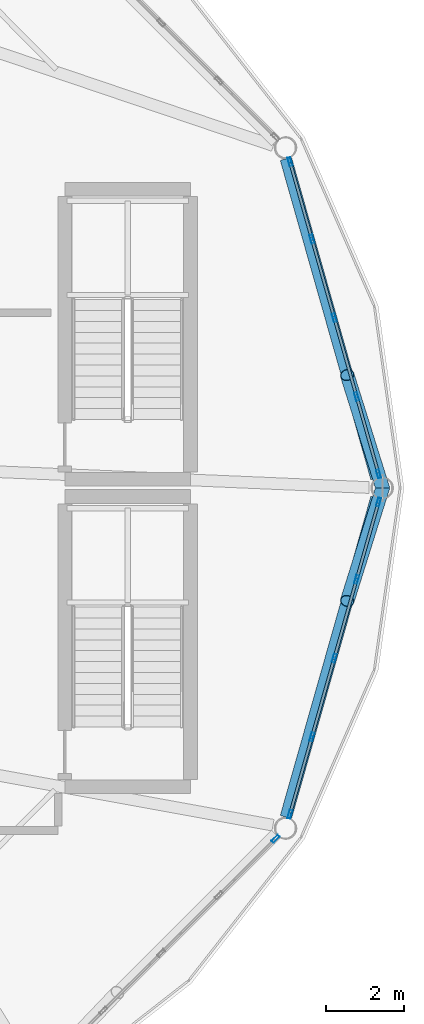
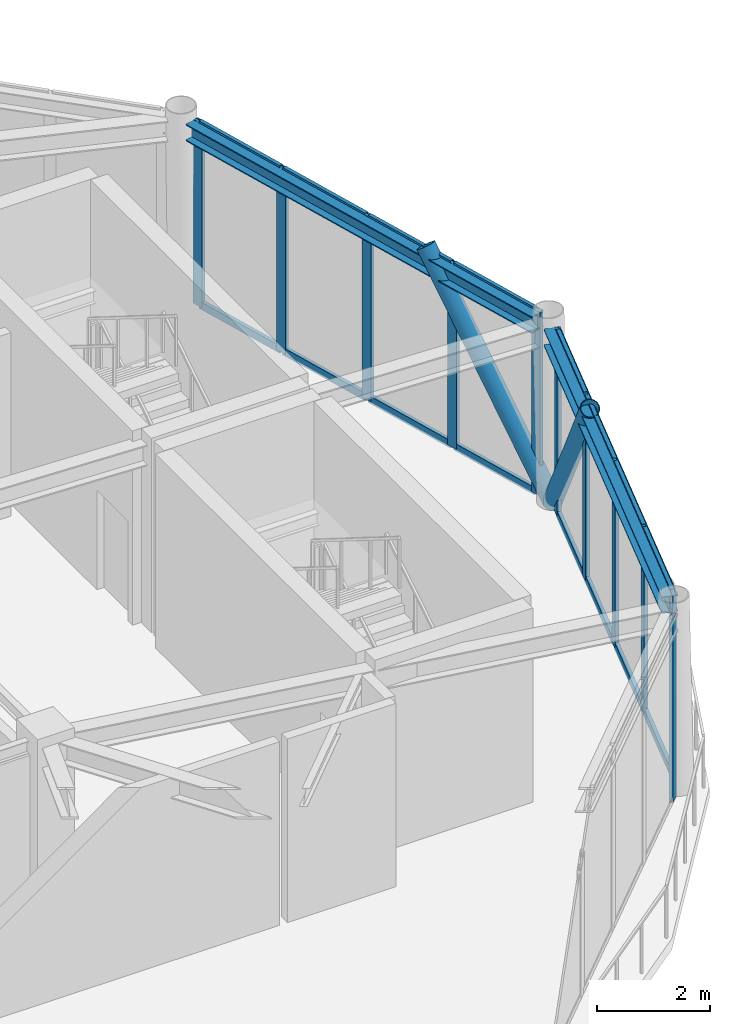
# One storey, part 13 of 21: 29 members, 2 beams, 3 elements without a shape of their own.
"""IFC4 building model written with IfcOpenShell, lengths in metres."""

from ifc_helpers import new_model, si_unit, direction, frame, origin, origin_2d, place, context, subcontext, project, spatial, hollow_rectangle, hollow_circle, i_section, extrude, material, layer, layer_set, material_profile, profile_set, type_object, element, aggregate, save


model = new_model("IFC4")

# Units and contexts
model_context = context("Model", 3, precision=1e-05, world=origin(), true_north=direction((0.0, 1.0)))
body_context = subcontext(model_context, "Body", "Model", "MODEL_VIEW")
ifc_project = project(units=[si_unit("LENGTHUNIT", "METRE"), si_unit("AREAUNIT", "SQUARE_METRE"), si_unit("VOLUMEUNIT", "CUBIC_METRE"), si_unit("PLANEANGLEUNIT", "RADIAN"), si_unit("MASSUNIT", "GRAM", prefix="KILO")], contexts=[model_context])

# Site, building, storey
site_placement = place(None, origin())
site = spatial("IfcSite", under=ifc_project, at=site_placement, CompositionType="ELEMENT")
building_placement = place(site_placement, origin())
building = spatial("IfcBuilding", under=site, at=building_placement, Name="Varnakorn Sky Granary", CompositionType="ELEMENT")
storey_placement = place(building_placement, frame((0.0, 0.0, 294.0)))
storey = spatial("IfcBuildingStorey", under=building, at=storey_placement, Name="L75", CompositionType="ELEMENT", Elevation=294.0)

# Beams
ifc_material_1 = material(Name="Steel S355JR", Category="steel")
ifc_material_profile_1 = material_profile(ifc_material_1, i_section(OverallWidth=0.300048828125, OverallDepth=0.360107421875, WebThickness=0.012451171875, FlangeThickness=0.0224609375, at=origin_2d()), Name="HE 360 B")
ifc_profile_set_1 = profile_set([ifc_material_profile_1], Name="Steel S355JR")
beam_type = type_object("IfcBeamType", Name="BM-SPD-Z5", PredefinedType="SPANDREL", material=ifc_profile_set_1)
for number, where, z_axis, x_axis, name in (
    (1, (22.356689453125, 0.25439453125, 3.780029296875), (-0.273003685575, 0.962012987263, 0.0), (-0.962012987263, -0.273003685575, 0.0), "Perimeter Spandrel Ring Beam RB01 L75"),
    (2, (20.029052734375, -8.45654296875, 3.780029296875), (0.273003685575, 0.962012987263, 0.0), (-0.962012987263, 0.273003685575, 0.0), "Perimeter Spandrel Ring Beam RB12 L75"),
):
    element("IfcBeam", number, at=place(storey_placement, frame(where, z_axis=z_axis, x_axis=x_axis)), inside=storey, type_object=beam_type, Name=name, PredefinedType="SPANDREL", context=body_context, shape_type="SweptSolid", body=[
        extrude(i_section(OverallWidth=0.300048828125, OverallDepth=0.360107421875, WebThickness=0.012451171875, FlangeThickness=0.0224609375, at=origin_2d()), origin(), (0.0, 0.0, 1.0), 8.526123046875),
    ])

# Curtain wall, members
ifc_material_2 = material(Name="Anodised Bronze Aluminium Alloy 6063-T6", Category="aluminium")
ifc_layer = layer(ifc_material_2, 0.22998046875, Name="Anodised Bronze Aluminium Alloy 6063-T6")
ifc_layer_set = layer_set([ifc_layer], Name="Anodised Bronze Aluminium Alloy 6063-T6")
curtain_wall_type = type_object("IfcCurtainWallType", Name="CW-LNT-1", PredefinedType="USERDEFINED", material=ifc_layer_set)
curtain_wall_1_placement = place(storey_placement, origin())
curtain_wall_1 = element("IfcCurtainWall", 3, at=curtain_wall_1_placement, inside=storey, type_object=curtain_wall_type, Name="Unitised Curtain Wall CW7 CW-L75-B01", ObjectType="CURTAIN WALL", PredefinedType="USERDEFINED")
ifc_material_profile_2 = material_profile(ifc_material_2, hollow_rectangle(XDim=0.074951171875, YDim=0.219970703125, WallThickness=0.00390625, at=origin_2d()), Name="ALU MULL 75x220")
ifc_profile_set_2 = profile_set([ifc_material_profile_2], Name="Anodised Bronze Aluminium Alloy 6063-T6")
member_type_1 = type_object("IfcMemberType", Name="CW-LNT-1-MULL", PredefinedType="MULLION", material=ifc_profile_set_2)
member_1_placement = place(storey_placement, frame((20.133544921875, 8.38427734375, 0.0), z_axis=(0.0, 0.0, 1.0), x_axis=(0.961978305633, 0.273125867489, 0.0)))
member_1 = element("IfcMember", 4, at=member_1_placement, type_object=member_type_1, Name="CW7 mullion 1", PredefinedType="MULLION", context=body_context, shape_type="SweptSolid", body=[
    extrude(hollow_rectangle(XDim=0.074951171875, YDim=0.219970703125, WallThickness=0.00390625, at=origin_2d()), origin(), (0.0, 0.0, 1.0), 3.9599609375),
])
member_2_placement = place(storey_placement, frame((20.69775390625, 6.39697265625, 0.0), z_axis=(0.0, 0.0, 1.0), x_axis=(0.961978305633, 0.273125867489, 0.0)))
member_2 = element("IfcMember", 5, at=member_2_placement, type_object=member_type_1, Name="CW7 mullion 2", PredefinedType="MULLION", context=body_context, shape_type="SweptSolid", body=[
    extrude(hollow_rectangle(XDim=0.074951171875, YDim=0.219970703125, WallThickness=0.00390625, at=origin_2d()), origin(), (0.0, 0.0, 1.0), 3.9599609375),
])
member_3_placement = place(storey_placement, frame((21.272216796875, 4.37353515625, 0.0), z_axis=(0.0, 0.0, 1.0), x_axis=(0.961978305633, 0.273125867489, 0.0)))
member_3 = element("IfcMember", 6, at=member_3_placement, type_object=member_type_1, Name="CW7 mullion 3", PredefinedType="MULLION", context=body_context, shape_type="SweptSolid", body=[
    extrude(hollow_rectangle(XDim=0.074951171875, YDim=0.219970703125, WallThickness=0.00390625, at=origin_2d()), origin(), (0.0, 0.0, 1.0), 3.9599609375),
])
member_4_placement = place(storey_placement, frame((21.8466796875, 2.35009765625, 0.0), z_axis=(0.0, 0.0, 1.0), x_axis=(0.961978305633, 0.273125867489, 0.0)))
member_4 = element("IfcMember", 7, at=member_4_placement, type_object=member_type_1, Name="CW7 mullion 4", PredefinedType="MULLION", context=body_context, shape_type="SweptSolid", body=[
    extrude(hollow_rectangle(XDim=0.074951171875, YDim=0.219970703125, WallThickness=0.00390625, at=origin_2d()), origin(), (0.0, 0.0, 1.0), 3.9599609375),
])
member_5_placement = place(storey_placement, frame((22.4111328125, 0.36279296875, 0.0), z_axis=(0.0, 0.0, 1.0), x_axis=(0.961978305633, 0.273125867489, 0.0)))
member_5 = element("IfcMember", 8, at=member_5_placement, type_object=member_type_1, Name="CW7 mullion 5", PredefinedType="MULLION", context=body_context, shape_type="SweptSolid", body=[
    extrude(hollow_rectangle(XDim=0.074951171875, YDim=0.219970703125, WallThickness=0.00390625, at=origin_2d()), origin(), (0.0, 0.0, 1.0), 3.9599609375),
])

# Curtain wall, member
curtain_wall_2_placement = place(storey_placement, origin())
curtain_wall_2 = element("IfcCurtainWall", 9, at=curtain_wall_2_placement, inside=storey, type_object=curtain_wall_type, Name="Unitised Curtain Wall CW7 CW-L75-B11", ObjectType="CURTAIN WALL", PredefinedType="USERDEFINED")
member_6_placement = place(storey_placement, frame((19.763671875, -9.01318359375, 0.0), z_axis=(0.0, 0.0, 1.0), x_axis=(0.706396880071, -0.70781597031, 0.0)))
member_6 = element("IfcMember", 10, at=member_6_placement, type_object=member_type_1, Name="CW7 mullion 1", PredefinedType="MULLION", context=body_context, shape_type="SweptSolid", body=[
    extrude(hollow_rectangle(XDim=0.074951171875, YDim=0.219970703125, WallThickness=0.00390625, at=origin_2d()), origin(), (0.0, 0.0, 1.0), 3.9599609375),
])
aggregate(curtain_wall_2, [member_6])

# Curtain wall, members
curtain_wall_3_placement = place(storey_placement, origin())
curtain_wall_3 = element("IfcCurtainWall", 11, at=curtain_wall_3_placement, inside=storey, type_object=curtain_wall_type, Name="Unitised Curtain Wall CW7 CW-L75-B12", ObjectType="CURTAIN WALL", PredefinedType="USERDEFINED")
member_7_placement = place(storey_placement, frame((22.4111328125, -0.36279296875, 0.0), z_axis=(0.0, 0.0, 1.0), x_axis=(0.961978305633, -0.273125867489, 0.0)))
member_7 = element("IfcMember", 12, at=member_7_placement, type_object=member_type_1, Name="CW7 mullion 1", PredefinedType="MULLION", context=body_context, shape_type="SweptSolid", body=[
    extrude(hollow_rectangle(XDim=0.074951171875, YDim=0.219970703125, WallThickness=0.00390625, at=origin_2d()), origin(), (0.0, 0.0, 1.0), 3.9599609375),
])
member_8_placement = place(storey_placement, frame((21.8466796875, -2.35009765625, 0.0), z_axis=(0.0, 0.0, 1.0), x_axis=(0.961978305633, -0.273125867489, 0.0)))
member_8 = element("IfcMember", 13, at=member_8_placement, type_object=member_type_1, Name="CW7 mullion 2", PredefinedType="MULLION", context=body_context, shape_type="SweptSolid", body=[
    extrude(hollow_rectangle(XDim=0.074951171875, YDim=0.219970703125, WallThickness=0.00390625, at=origin_2d()), origin(), (0.0, 0.0, 1.0), 3.9599609375),
])
member_9_placement = place(storey_placement, frame((21.272216796875, -4.37353515625, 0.0), z_axis=(0.0, 0.0, 1.0), x_axis=(0.961978305633, -0.273125867489, 0.0)))
member_9 = element("IfcMember", 14, at=member_9_placement, type_object=member_type_1, Name="CW7 mullion 3", PredefinedType="MULLION", context=body_context, shape_type="SweptSolid", body=[
    extrude(hollow_rectangle(XDim=0.074951171875, YDim=0.219970703125, WallThickness=0.00390625, at=origin_2d()), origin(), (0.0, 0.0, 1.0), 3.9599609375),
])
member_10_placement = place(storey_placement, frame((20.69775390625, -6.39697265625, 0.0), z_axis=(0.0, 0.0, 1.0), x_axis=(0.961978305633, -0.273125867489, 0.0)))
member_10 = element("IfcMember", 15, at=member_10_placement, type_object=member_type_1, Name="CW7 mullion 4", PredefinedType="MULLION", context=body_context, shape_type="SweptSolid", body=[
    extrude(hollow_rectangle(XDim=0.074951171875, YDim=0.219970703125, WallThickness=0.00390625, at=origin_2d()), origin(), (0.0, 0.0, 1.0), 3.9599609375),
])
member_11_placement = place(storey_placement, frame((20.133544921875, -8.38427734375, 0.0), z_axis=(0.0, 0.0, 1.0), x_axis=(0.961978305633, -0.273125867489, 0.0)))
member_11 = element("IfcMember", 16, at=member_11_placement, type_object=member_type_1, Name="CW7 mullion 5", PredefinedType="MULLION", context=body_context, shape_type="SweptSolid", body=[
    extrude(hollow_rectangle(XDim=0.074951171875, YDim=0.219970703125, WallThickness=0.00390625, at=origin_2d()), origin(), (0.0, 0.0, 1.0), 3.9599609375),
])

# Member
ifc_material_profile_3 = material_profile(ifc_material_2, hollow_rectangle(XDim=0.074951171875, YDim=0.159912109375, WallThickness=0.00390625, at=origin_2d()), Name="ALU TRAN 75x160")
ifc_profile_set_3 = profile_set([ifc_material_profile_3], Name="Anodised Bronze Aluminium Alloy 6063-T6")
member_type_2 = type_object("IfcMemberType", Name="CW-LNT-1-TRAN", PredefinedType="USERDEFINED", material=ifc_profile_set_3)
member_12_placement = place(storey_placement, frame((20.143798828125, 8.34814453125, 0.03759765625), z_axis=(0.27311718232, -0.961980771493, 0.0), x_axis=(0.961980771493, 0.27311718232, 0.0)))
member_12 = element("IfcMember", 17, at=member_12_placement, type_object=member_type_2, Name="CW7 transom 1.1", ObjectType="TRANSOM", PredefinedType="USERDEFINED", context=body_context, shape_type="SweptSolid", body=[
    extrude(hollow_rectangle(XDim=0.074951171875, YDim=0.159912109375, WallThickness=0.00390625, at=origin_2d()), origin(), (0.0, 0.0, 1.0), 1.99072265625),
])

member_13_placement = place(storey_placement, frame((20.143798828125, 8.34814453125, 3.922607421875), z_axis=(0.27311718232, -0.961980771493, 0.0), x_axis=(0.961980771493, 0.27311718232, 0.0)))
member_13 = element("IfcMember", 18, at=member_13_placement, type_object=member_type_2, Name="CW7 transom 1.2", ObjectType="TRANSOM", PredefinedType="USERDEFINED", context=body_context, shape_type="SweptSolid", body=[
    extrude(hollow_rectangle(XDim=0.074951171875, YDim=0.159912109375, WallThickness=0.00390625, at=origin_2d()), origin(), (0.0, 0.0, 1.0), 1.99072265625),
])

member_14_placement = place(storey_placement, frame((20.7080078125, 6.36083984375, 0.03759765625), z_axis=(0.273115080632, -0.961981368183, 0.0), x_axis=(0.961981368183, 0.273115080632, 0.0)))
member_14 = element("IfcMember", 19, at=member_14_placement, type_object=member_type_2, Name="CW7 transom 2.1", ObjectType="TRANSOM", PredefinedType="USERDEFINED", context=body_context, shape_type="SweptSolid", body=[
    extrude(hollow_rectangle(XDim=0.074951171875, YDim=0.159912109375, WallThickness=0.00390625, at=origin_2d()), origin(), (0.0, 0.0, 1.0), 2.0283203125),
])

member_15_placement = place(storey_placement, frame((20.7080078125, 6.36083984375, 3.922607421875), z_axis=(0.273115080632, -0.961981368183, 0.0), x_axis=(0.961981368183, 0.273115080632, 0.0)))
member_15 = element("IfcMember", 20, at=member_15_placement, type_object=member_type_2, Name="CW7 transom 2.2", ObjectType="TRANSOM", PredefinedType="USERDEFINED", context=body_context, shape_type="SweptSolid", body=[
    extrude(hollow_rectangle(XDim=0.074951171875, YDim=0.159912109375, WallThickness=0.00390625, at=origin_2d()), origin(), (0.0, 0.0, 1.0), 2.0283203125),
])

member_16_placement = place(storey_placement, frame((21.282470703125, 4.33740234375, 0.03759765625), z_axis=(0.273226464703, -0.961949738285, 0.0), x_axis=(0.961949738285, 0.273226464703, 0.0)))
member_16 = element("IfcMember", 21, at=member_16_placement, type_object=member_type_2, Name="CW7 transom 3.1", ObjectType="TRANSOM", PredefinedType="USERDEFINED", context=body_context, shape_type="SweptSolid", body=[
    extrude(hollow_rectangle(XDim=0.074951171875, YDim=0.159912109375, WallThickness=0.00390625, at=origin_2d()), origin(), (0.0, 0.0, 1.0), 2.0283203125),
])

member_17_placement = place(storey_placement, frame((21.282470703125, 4.33740234375, 3.922607421875), z_axis=(0.273226464703, -0.961949738285, 0.0), x_axis=(0.961949738285, 0.273226464703, 0.0)))
member_17 = element("IfcMember", 22, at=member_17_placement, type_object=member_type_2, Name="CW7 transom 3.2", ObjectType="TRANSOM", PredefinedType="USERDEFINED", context=body_context, shape_type="SweptSolid", body=[
    extrude(hollow_rectangle(XDim=0.074951171875, YDim=0.159912109375, WallThickness=0.00390625, at=origin_2d()), origin(), (0.0, 0.0, 1.0), 2.0283203125),
])

member_18_placement = place(storey_placement, frame((21.85693359375, 2.31396484375, 0.03759765625), z_axis=(0.273198438694, -0.961957698184, 0.0), x_axis=(0.961957698184, 0.273198438694, 0.0)))
member_18 = element("IfcMember", 23, at=member_18_placement, type_object=member_type_2, Name="CW7 transom 4.1", ObjectType="TRANSOM", PredefinedType="USERDEFINED", context=body_context, shape_type="SweptSolid", body=[
    extrude(hollow_rectangle(XDim=0.074951171875, YDim=0.159912109375, WallThickness=0.00390625, at=origin_2d()), origin(), (0.0, 0.0, 1.0), 1.990966796875),
])

member_19_placement = place(storey_placement, frame((21.85693359375, 2.31396484375, 3.922607421875), z_axis=(0.273198438694, -0.961957698184, 0.0), x_axis=(0.961957698184, 0.273198438694, 0.0)))
member_19 = element("IfcMember", 24, at=member_19_placement, type_object=member_type_2, Name="CW7 transom 4.2", ObjectType="TRANSOM", PredefinedType="USERDEFINED", context=body_context, shape_type="SweptSolid", body=[
    extrude(hollow_rectangle(XDim=0.074951171875, YDim=0.159912109375, WallThickness=0.00390625, at=origin_2d()), origin(), (0.0, 0.0, 1.0), 1.990966796875),
])

aggregate(curtain_wall_1, [member_1, member_2, member_3, member_4, member_5, member_12, member_13, member_14, member_15, member_16, member_17, member_18, member_19])

member_20_placement = place(storey_placement, frame((22.40087890625, -0.398681640625, 0.03759765625), z_axis=(-0.273198438694, -0.961957698184, 0.0), x_axis=(0.961957698184, -0.273198438694, 0.0)))
member_20 = element("IfcMember", 25, at=member_20_placement, type_object=member_type_2, Name="CW7 transom 1.1", ObjectType="TRANSOM", PredefinedType="USERDEFINED", context=body_context, shape_type="SweptSolid", body=[
    extrude(hollow_rectangle(XDim=0.074951171875, YDim=0.159912109375, WallThickness=0.00390625, at=origin_2d()), origin(), (0.0, 0.0, 1.0), 1.990966796875),
])

member_21_placement = place(storey_placement, frame((22.40087890625, -0.398681640625, 3.922607421875), z_axis=(-0.273198438694, -0.961957698184, 0.0), x_axis=(0.961957698184, -0.273198438694, 0.0)))
member_21 = element("IfcMember", 26, at=member_21_placement, type_object=member_type_2, Name="CW7 transom 1.2", ObjectType="TRANSOM", PredefinedType="USERDEFINED", context=body_context, shape_type="SweptSolid", body=[
    extrude(hollow_rectangle(XDim=0.074951171875, YDim=0.159912109375, WallThickness=0.00390625, at=origin_2d()), origin(), (0.0, 0.0, 1.0), 1.990966796875),
])

member_22_placement = place(storey_placement, frame((21.836669921875, -2.38623046875, 0.03759765625), z_axis=(-0.273226464703, -0.961949738285, 0.0), x_axis=(0.961949738285, -0.273226464703, 0.0)))
member_22 = element("IfcMember", 27, at=member_22_placement, type_object=member_type_2, Name="CW7 transom 2.1", ObjectType="TRANSOM", PredefinedType="USERDEFINED", context=body_context, shape_type="SweptSolid", body=[
    extrude(hollow_rectangle(XDim=0.074951171875, YDim=0.159912109375, WallThickness=0.00390625, at=origin_2d()), origin(), (0.0, 0.0, 1.0), 2.0283203125),
])

member_23_placement = place(storey_placement, frame((21.836669921875, -2.38623046875, 3.922607421875), z_axis=(-0.273226464703, -0.961949738285, 0.0), x_axis=(0.961949738285, -0.273226464703, 0.0)))
member_23 = element("IfcMember", 28, at=member_23_placement, type_object=member_type_2, Name="CW7 transom 2.2", ObjectType="TRANSOM", PredefinedType="USERDEFINED", context=body_context, shape_type="SweptSolid", body=[
    extrude(hollow_rectangle(XDim=0.074951171875, YDim=0.159912109375, WallThickness=0.00390625, at=origin_2d()), origin(), (0.0, 0.0, 1.0), 2.0283203125),
])

member_24_placement = place(storey_placement, frame((21.261962890625, -4.40966796875, 0.03759765625), z_axis=(-0.273115080632, -0.961981368183, 0.0), x_axis=(0.961981368183, -0.273115080632, 0.0)))
member_24 = element("IfcMember", 29, at=member_24_placement, type_object=member_type_2, Name="CW7 transom 3.1", ObjectType="TRANSOM", PredefinedType="USERDEFINED", context=body_context, shape_type="SweptSolid", body=[
    extrude(hollow_rectangle(XDim=0.074951171875, YDim=0.159912109375, WallThickness=0.00390625, at=origin_2d()), origin(), (0.0, 0.0, 1.0), 2.0283203125),
])

member_25_placement = place(storey_placement, frame((21.261962890625, -4.40966796875, 3.922607421875), z_axis=(-0.273115080632, -0.961981368183, 0.0), x_axis=(0.961981368183, -0.273115080632, 0.0)))
member_25 = element("IfcMember", 30, at=member_25_placement, type_object=member_type_2, Name="CW7 transom 3.2", ObjectType="TRANSOM", PredefinedType="USERDEFINED", context=body_context, shape_type="SweptSolid", body=[
    extrude(hollow_rectangle(XDim=0.074951171875, YDim=0.159912109375, WallThickness=0.00390625, at=origin_2d()), origin(), (0.0, 0.0, 1.0), 2.0283203125),
])

member_26_placement = place(storey_placement, frame((20.6875, -6.43310546875, 0.03759765625), z_axis=(-0.27311718232, -0.961980771493, 0.0), x_axis=(0.961980771493, -0.27311718232, 0.0)))
member_26 = element("IfcMember", 31, at=member_26_placement, type_object=member_type_2, Name="CW7 transom 4.1", ObjectType="TRANSOM", PredefinedType="USERDEFINED", context=body_context, shape_type="SweptSolid", body=[
    extrude(hollow_rectangle(XDim=0.074951171875, YDim=0.159912109375, WallThickness=0.00390625, at=origin_2d()), origin(), (0.0, 0.0, 1.0), 1.99072265625),
])

member_27_placement = place(storey_placement, frame((20.6875, -6.43310546875, 3.922607421875), z_axis=(-0.27311718232, -0.961980771493, 0.0), x_axis=(0.961980771493, -0.27311718232, 0.0)))
member_27 = element("IfcMember", 32, at=member_27_placement, type_object=member_type_2, Name="CW7 transom 4.2", ObjectType="TRANSOM", PredefinedType="USERDEFINED", context=body_context, shape_type="SweptSolid", body=[
    extrude(hollow_rectangle(XDim=0.074951171875, YDim=0.159912109375, WallThickness=0.00390625, at=origin_2d()), origin(), (0.0, 0.0, 1.0), 1.99072265625),
])

aggregate(curtain_wall_3, [member_7, member_8, member_9, member_10, member_11, member_20, member_21, member_22, member_23, member_24, member_25, member_26, member_27])

# Members
ifc_material_3 = material(Name="Steel S460M", Category="steel")
ifc_material_profile_4 = material_profile(ifc_material_3, hollow_circle(Radius=0.177734375, WallThickness=0.01416015625, at=origin_2d()), Name="CHS 355.6x14")
ifc_profile_set_4 = profile_set([ifc_material_profile_4], Name="Steel S460M")
member_type_3 = type_object("IfcMemberType", Name="MB-DIAG-T5", PredefinedType="BRACE", material=ifc_profile_set_4)
for number, where, z_axis, x_axis, name in (
    (33, (22.513916015625, 0.0, 0.0), (-0.178301208585, 0.569625187995, 0.802331492726), (-0.954339957813, -0.298722688998, 0.0), "Perimeter CHS Diagrid Brace DG01 L75"),
    (34, (22.513916015625, 0.0, 0.0), (-0.178301208585, -0.569625187995, 0.802331492726), (0.954339957813, -0.298722688998, 0.0), "Perimeter CHS Diagrid Brace DG12 L75"),
):
    element("IfcMember", number, at=place(storey_placement, frame(where, z_axis=z_axis, x_axis=x_axis)), inside=storey, type_object=member_type_3, Name=name, PredefinedType="BRACE", context=body_context, shape_type="SweptSolid", body=[
        extrude(hollow_circle(Radius=0.177734375, WallThickness=0.01416015625, at=origin_2d()), origin(), (0.0, 0.0, 1.0), 5.09765625),
    ])

save(model, "model.ifc")
